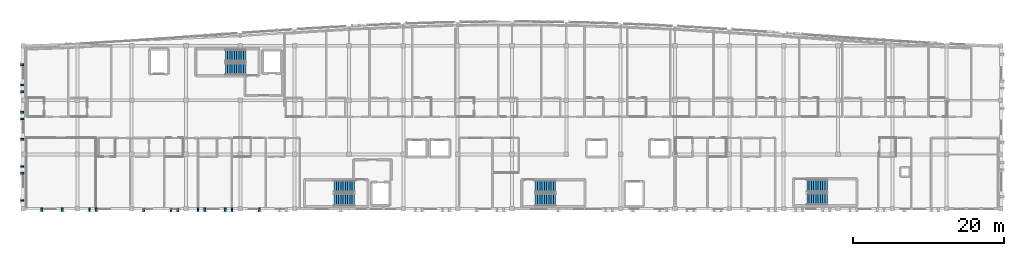
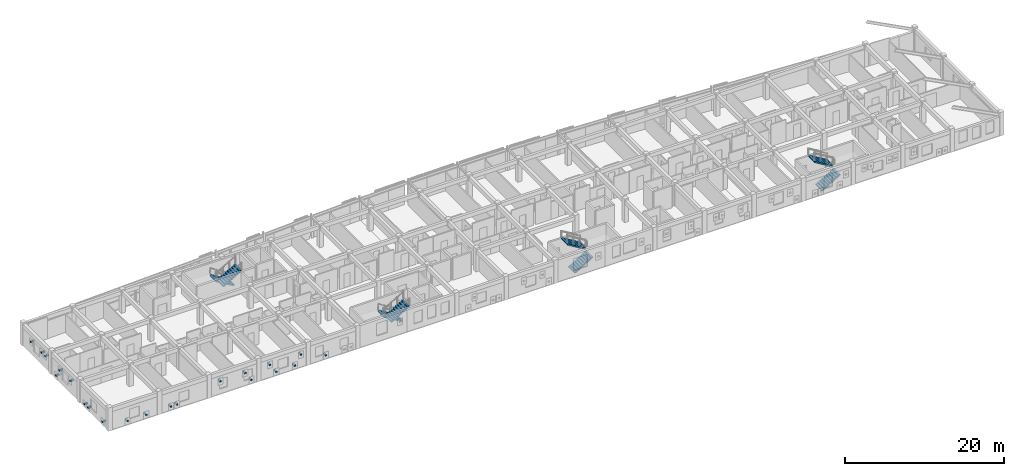
# One storey, part 47 of 51: 21 discrete accessories, 8 stair flights, 4 elements without a shape of their own.
"""IFC4 building model written with IfcOpenShell, lengths in metres."""

from ifc_helpers import new_model, si_unit, direction, frame, origin, origin_2d, place, context, subcontext, project, spatial, polyline, rectangle, outline, extrude, material, type_object, element, aggregate, save


model = new_model("IFC4")

# Units and contexts
model_context = context("Model", 3, precision=1e-05, world=origin(), true_north=direction((0.0, 1.0)))
body_context = subcontext(model_context, "Body", "Model", "MODEL_VIEW")
ifc_project = project(units=[si_unit("LENGTHUNIT", "METRE"), si_unit("AREAUNIT", "SQUARE_METRE"), si_unit("VOLUMEUNIT", "CUBIC_METRE"), si_unit("PLANEANGLEUNIT", "RADIAN"), si_unit("MASSUNIT", "GRAM", prefix="KILO")], contexts=[model_context])

# Site, building, storey
site_placement = place(None, origin())
site = spatial("IfcSite", under=ifc_project, at=site_placement, CompositionType="ELEMENT")
building_placement = place(site_placement, origin())
building = spatial("IfcBuilding", under=site, at=building_placement, Name="Carrowvane Square Congress Hotel", CompositionType="ELEMENT")
storey_placement = place(building_placement, frame((0.0, 0.0, 30.0)))
storey = spatial("IfcBuildingStorey", under=building, at=storey_placement, Name="L07", CompositionType="ELEMENT", Elevation=30.0)

# Stair, stair flights
ifc_material_1 = material(Name="Concrete C35/45", Category="concrete")
stair_type = type_object("IfcStairType", Name="STR-DOG-02", PredefinedType="HALF_TURN_STAIR", material=ifc_material_1)
stair_1_placement = place(storey_placement, origin())
stair_1 = element("IfcStair", 1, at=stair_1_placement, inside=storey, type_object=stair_type, Name="L07 Core C1 West Hotel Firefighting Stair", PredefinedType="HALF_TURN_STAIR")
ifc_material_2 = material(Name="Concrete C35/45", Category="concrete")
stair_flight_type = type_object("IfcStairFlightType", Name="SFL-STR-02", PredefinedType="STRAIGHT", material=ifc_material_2)
stair_flight_1_placement = place(storey_placement, frame((62.719970703125, 112.110107421875, 0.0), z_axis=(0.0, 0.0, 1.0), x_axis=(-1.0, 0.0, 0.0)))
stair_flight_1 = element("IfcStairFlight", 2, at=stair_flight_1_placement, type_object=stair_flight_type, Name="ST1 flight 1", NumberOfRisers=10, NumberOfTreads=9, PredefinedType="STRAIGHT", RiserHeight=0.18, TreadLength=0.3, context=body_context, shape_type="SweptSolid", body=[
    extrude(outline(polyline([(0.0, 0.0), (0.0, 0.179931640625), (0.300048828125, 0.179931640625), (0.300048828125, 0.360107421875), (0.60009765625, 0.360107421875), (0.60009765625, 0.5400390625), (0.89990234375, 0.5400390625), (0.89990234375, 0.719970703125), (1.199951171875, 0.719970703125), (1.199951171875, 0.89990234375), (1.5, 0.89990234375), (1.5, 1.080078125), (1.800048828125, 1.080078125), (1.800048828125, 1.260009765625), (2.10009765625, 1.260009765625), (2.10009765625, 1.43994140625), (2.39990234375, 1.43994140625), (2.39990234375, 1.6201171875), (2.699951171875, 1.6201171875), (2.699951171875, 1.800048828125), (2.699951171875, 1.445068359375), (0.291259765625, 0.0), (0.0, 0.0)])), frame((0.0, 0.7900390625, 0.0), z_axis=(0.0, -1.0, 0.0), x_axis=(1.0, 0.0, 0.0)), (0.0, 0.0, 1.0), 1.580078125),
])
stair_flight_2_placement = place(storey_placement, frame((60.02001953125, 110.330078125, 1.800048828125), z_axis=(0.0, 0.0, 1.0), x_axis=(1.0, 0.0, 0.0)))
stair_flight_2 = element("IfcStairFlight", 3, at=stair_flight_2_placement, type_object=stair_flight_type, Name="ST1 flight 2", NumberOfRisers=10, NumberOfTreads=9, PredefinedType="STRAIGHT", RiserHeight=0.18, TreadLength=0.3, context=body_context, shape_type="SweptSolid", body=[
    extrude(outline(polyline([(0.0, 0.0), (0.0, 0.179931640625), (0.300048828125, 0.179931640625), (0.300048828125, 0.360107421875), (0.60009765625, 0.360107421875), (0.60009765625, 0.5400390625), (0.89990234375, 0.5400390625), (0.89990234375, 0.719970703125), (1.199951171875, 0.719970703125), (1.199951171875, 0.89990234375), (1.5, 0.89990234375), (1.5, 1.080078125), (1.800048828125, 1.080078125), (1.800048828125, 1.260009765625), (2.10009765625, 1.260009765625), (2.10009765625, 1.43994140625), (2.39990234375, 1.43994140625), (2.39990234375, 1.6201171875), (2.699951171875, 1.6201171875), (2.699951171875, 1.800048828125), (2.699951171875, 1.445068359375), (0.291259765625, 0.0), (0.0, 0.0)])), frame((0.0, 0.7900390625, 0.0), z_axis=(0.0, -1.0, 0.0), x_axis=(1.0, 0.0, 0.0)), (0.0, 0.0, 1.0), 1.580078125),
])
aggregate(stair_1, [stair_flight_1, stair_flight_2])

stair_2_placement = place(storey_placement, origin())
stair_2 = element("IfcStair", 4, at=stair_2_placement, inside=storey, type_object=stair_type, Name="L07 Core C2 Central Hotel Firefighting Stair", PredefinedType="HALF_TURN_STAIR")
stair_flight_3_placement = place(storey_placement, frame((77.1201171875, 94.77001953125, 0.0), z_axis=(0.0, 0.0, 1.0), x_axis=(-1.0, 0.0, 0.0)))
stair_flight_3 = element("IfcStairFlight", 5, at=stair_flight_3_placement, type_object=stair_flight_type, Name="ST2 flight 1", NumberOfRisers=10, NumberOfTreads=9, PredefinedType="STRAIGHT", RiserHeight=0.18, TreadLength=0.3, context=body_context, shape_type="SweptSolid", body=[
    extrude(outline(polyline([(0.0, 0.0), (0.0, 0.179931640625), (0.300048828125, 0.179931640625), (0.300048828125, 0.360107421875), (0.60009765625, 0.360107421875), (0.60009765625, 0.5400390625), (0.89990234375, 0.5400390625), (0.89990234375, 0.719970703125), (1.199951171875, 0.719970703125), (1.199951171875, 0.89990234375), (1.5, 0.89990234375), (1.5, 1.080078125), (1.800048828125, 1.080078125), (1.800048828125, 1.260009765625), (2.10009765625, 1.260009765625), (2.10009765625, 1.43994140625), (2.39990234375, 1.43994140625), (2.39990234375, 1.6201171875), (2.699951171875, 1.6201171875), (2.699951171875, 1.800048828125), (2.699951171875, 1.445068359375), (0.291259765625, 0.0), (0.0, 0.0)])), frame((0.0, 0.7900390625, 0.0), z_axis=(0.0, -1.0, 0.0), x_axis=(1.0, 0.0, 0.0)), (0.0, 0.0, 1.0), 1.580078125),
])
stair_flight_4_placement = place(storey_placement, frame((74.419921875, 92.989990234375, 1.800048828125), z_axis=(0.0, 0.0, 1.0), x_axis=(1.0, 0.0, 0.0)))
stair_flight_4 = element("IfcStairFlight", 6, at=stair_flight_4_placement, type_object=stair_flight_type, Name="ST2 flight 2", NumberOfRisers=10, NumberOfTreads=9, PredefinedType="STRAIGHT", RiserHeight=0.18, TreadLength=0.3, context=body_context, shape_type="SweptSolid", body=[
    extrude(outline(polyline([(0.0, 0.0), (0.0, 0.179931640625), (0.300048828125, 0.179931640625), (0.300048828125, 0.360107421875), (0.60009765625, 0.360107421875), (0.60009765625, 0.5400390625), (0.89990234375, 0.5400390625), (0.89990234375, 0.719970703125), (1.199951171875, 0.719970703125), (1.199951171875, 0.89990234375), (1.5, 0.89990234375), (1.5, 1.080078125), (1.800048828125, 1.080078125), (1.800048828125, 1.260009765625), (2.10009765625, 1.260009765625), (2.10009765625, 1.43994140625), (2.39990234375, 1.43994140625), (2.39990234375, 1.6201171875), (2.699951171875, 1.6201171875), (2.699951171875, 1.800048828125), (2.699951171875, 1.445068359375), (0.291259765625, 0.0), (0.0, 0.0)])), frame((0.0, 0.7900390625, 0.0), z_axis=(0.0, -1.0, 0.0), x_axis=(1.0, 0.0, 0.0)), (0.0, 0.0, 1.0), 1.580078125),
])
aggregate(stair_2, [stair_flight_3, stair_flight_4])

stair_3_placement = place(storey_placement, origin())
stair_3 = element("IfcStair", 7, at=stair_3_placement, inside=storey, type_object=stair_type, Name="L07 Core C3 East Hotel Escape Stair", PredefinedType="HALF_TURN_STAIR")
stair_flight_5_placement = place(storey_placement, frame((101.080078125, 92.989990234375, 0.0), z_axis=(0.0, 0.0, 1.0), x_axis=(1.0, 0.0, 0.0)))
stair_flight_5 = element("IfcStairFlight", 8, at=stair_flight_5_placement, type_object=stair_flight_type, Name="ST3 flight 1", NumberOfRisers=10, NumberOfTreads=9, PredefinedType="STRAIGHT", RiserHeight=0.18, TreadLength=0.3, context=body_context, shape_type="SweptSolid", body=[
    extrude(outline(polyline([(0.0, 0.0), (0.0, 0.179931640625), (0.300048828125, 0.179931640625), (0.300048828125, 0.360107421875), (0.60009765625, 0.360107421875), (0.60009765625, 0.5400390625), (0.89990234375, 0.5400390625), (0.89990234375, 0.719970703125), (1.199951171875, 0.719970703125), (1.199951171875, 0.89990234375), (1.5, 0.89990234375), (1.5, 1.080078125), (1.800048828125, 1.080078125), (1.800048828125, 1.260009765625), (2.10009765625, 1.260009765625), (2.10009765625, 1.43994140625), (2.39990234375, 1.43994140625), (2.39990234375, 1.6201171875), (2.699951171875, 1.6201171875), (2.699951171875, 1.800048828125), (2.699951171875, 1.445068359375), (0.291259765625, 0.0), (0.0, 0.0)])), frame((0.0, 0.7900390625, 0.0), z_axis=(0.0, -1.0, 0.0), x_axis=(1.0, 0.0, 0.0)), (0.0, 0.0, 1.0), 1.580078125),
])
stair_flight_6_placement = place(storey_placement, frame((103.780029296875, 94.77001953125, 1.800048828125), z_axis=(0.0, 0.0, 1.0), x_axis=(-1.0, 0.0, 0.0)))
stair_flight_6 = element("IfcStairFlight", 9, at=stair_flight_6_placement, type_object=stair_flight_type, Name="ST3 flight 2", NumberOfRisers=10, NumberOfTreads=9, PredefinedType="STRAIGHT", RiserHeight=0.18, TreadLength=0.3, context=body_context, shape_type="SweptSolid", body=[
    extrude(outline(polyline([(0.0, 0.0), (0.0, 0.179931640625), (0.300048828125, 0.179931640625), (0.300048828125, 0.360107421875), (0.60009765625, 0.360107421875), (0.60009765625, 0.5400390625), (0.89990234375, 0.5400390625), (0.89990234375, 0.719970703125), (1.199951171875, 0.719970703125), (1.199951171875, 0.89990234375), (1.5, 0.89990234375), (1.5, 1.080078125), (1.800048828125, 1.080078125), (1.800048828125, 1.260009765625), (2.10009765625, 1.260009765625), (2.10009765625, 1.43994140625), (2.39990234375, 1.43994140625), (2.39990234375, 1.6201171875), (2.699951171875, 1.6201171875), (2.699951171875, 1.800048828125), (2.699951171875, 1.445068359375), (0.291259765625, 0.0), (0.0, 0.0)])), frame((0.0, 0.7900390625, 0.0), z_axis=(0.0, -1.0, 0.0), x_axis=(1.0, 0.0, 0.0)), (0.0, 0.0, 1.0), 1.580078125),
])
aggregate(stair_3, [stair_flight_5, stair_flight_6])

stair_4_placement = place(storey_placement, origin())
stair_4 = element("IfcStair", 10, at=stair_4_placement, inside=storey, type_object=stair_type, Name="L07 East Hotel Wing Escape Stair", PredefinedType="HALF_TURN_STAIR")
stair_flight_7_placement = place(storey_placement, frame((137.080078125, 93.090087890625, 0.0), z_axis=(0.0, 0.0, 1.0), x_axis=(1.0, 0.0, 0.0)))
stair_flight_7 = element("IfcStairFlight", 11, at=stair_flight_7_placement, type_object=stair_flight_type, Name="ST12 flight 1", NumberOfRisers=10, NumberOfTreads=9, PredefinedType="STRAIGHT", RiserHeight=0.18, TreadLength=0.3, context=body_context, shape_type="SweptSolid", body=[
    extrude(outline(polyline([(0.0, 0.0), (0.0, 0.179931640625), (0.300048828125, 0.179931640625), (0.300048828125, 0.360107421875), (0.60009765625, 0.360107421875), (0.60009765625, 0.5400390625), (0.89990234375, 0.5400390625), (0.89990234375, 0.719970703125), (1.199951171875, 0.719970703125), (1.199951171875, 0.89990234375), (1.5, 0.89990234375), (1.5, 1.080078125), (1.800048828125, 1.080078125), (1.800048828125, 1.260009765625), (2.10009765625, 1.260009765625), (2.10009765625, 1.43994140625), (2.39990234375, 1.43994140625), (2.39990234375, 1.6201171875), (2.699951171875, 1.6201171875), (2.699951171875, 1.800048828125), (2.699951171875, 1.445068359375), (0.291259765625, 0.0), (0.0, 0.0)])), frame((0.0, 0.7900390625, 0.0), z_axis=(0.0, -1.0, 0.0), x_axis=(1.0, 0.0, 0.0)), (0.0, 0.0, 1.0), 1.580078125),
])
stair_flight_8_placement = place(storey_placement, frame((139.780029296875, 94.8701171875, 1.800048828125), z_axis=(0.0, 0.0, 1.0), x_axis=(-1.0, 0.0, 0.0)))
stair_flight_8 = element("IfcStairFlight", 12, at=stair_flight_8_placement, type_object=stair_flight_type, Name="ST12 flight 2", NumberOfRisers=10, NumberOfTreads=9, PredefinedType="STRAIGHT", RiserHeight=0.18, TreadLength=0.3, context=body_context, shape_type="SweptSolid", body=[
    extrude(outline(polyline([(0.0, 0.0), (0.0, 0.179931640625), (0.300048828125, 0.179931640625), (0.300048828125, 0.360107421875), (0.60009765625, 0.360107421875), (0.60009765625, 0.5400390625), (0.89990234375, 0.5400390625), (0.89990234375, 0.719970703125), (1.199951171875, 0.719970703125), (1.199951171875, 0.89990234375), (1.5, 0.89990234375), (1.5, 1.080078125), (1.800048828125, 1.080078125), (1.800048828125, 1.260009765625), (2.10009765625, 1.260009765625), (2.10009765625, 1.43994140625), (2.39990234375, 1.43994140625), (2.39990234375, 1.6201171875), (2.699951171875, 1.6201171875), (2.699951171875, 1.800048828125), (2.699951171875, 1.445068359375), (0.291259765625, 0.0), (0.0, 0.0)])), frame((0.0, 0.7900390625, 0.0), z_axis=(0.0, -1.0, 0.0), x_axis=(1.0, 0.0, 0.0)), (0.0, 0.0, 1.0), 1.580078125),
])
aggregate(stair_4, [stair_flight_7, stair_flight_8])

# Discrete accessories
ifc_material_3 = material(Name="Stainless steel 316", Category="steel")
discrete_accessory_type = type_object("IfcDiscreteAccessoryType", Name="ACC-BRK-SS", PredefinedType="BRACKET", material=ifc_material_3)
for number, where, z_axis, x_axis, name in (
    (13, (64.5, 91.659912109375, 0.56005859375), (0.0, 0.0, 1.0), (-1.0, 0.0, 0.0), "V5 pixel screen bracket 737"),
    (14, (60.89990234375, 91.659912109375, 1.93017578125), (0.0, 0.0, 1.0), (-1.0, 0.0, 0.0), "V5 pixel screen bracket 738"),
    (15, (60.0, 91.659912109375, 0.56005859375), (0.0, 0.0, 1.0), (-1.0, 0.0, 0.0), "V5 pixel screen bracket 739"),
    (16, (57.300048828125, 91.659912109375, 0.56005859375), (0.0, 0.0, 1.0), (-1.0, 0.0, 0.0), "V5 pixel screen bracket 740"),
    (17, (56.39990234375, 91.659912109375, 1.93017578125), (0.0, 0.0, 1.0), (-1.0, 0.0, 0.0), "V5 pixel screen bracket 741"),
    (18, (53.699951171875, 91.659912109375, 0.56005859375), (0.0, 0.0, 1.0), (-1.0, 0.0, 0.0), "V5 pixel screen bracket 742"),
    (19, (52.800048828125, 91.659912109375, 1.93017578125), (0.0, 0.0, 1.0), (-1.0, 0.0, 0.0), "V5 pixel screen bracket 743"),
    (20, (49.199951171875, 91.659912109375, 1.93017578125), (0.0, 0.0, 1.0), (-1.0, 0.0, 0.0), "V5 pixel screen bracket 744"),
    (21, (42.89990234375, 91.659912109375, 0.56005859375), (0.0, 0.0, 1.0), (-1.0, 0.0, 0.0), "V5 pixel screen bracket 745"),
    (22, (42.0, 91.659912109375, 0.56005859375), (0.0, 0.0, 1.0), (-1.0, 0.0, 0.0), "V5 pixel screen bracket 746"),
    (23, (38.39990234375, 91.659912109375, 0.56005859375), (0.0, 0.0, 1.0), (-1.0, 0.0, 0.0), "V5 pixel screen bracket 747"),
    (24, (35.699951171875, 91.659912109375, 0.56005859375), (0.0, 0.0, 1.0), (-1.0, 0.0, 0.0), "V5 pixel screen bracket 748"),
    (25, (33.06005859375, 92.89990234375, 0.56005859375), (0.0, 0.0, 1.0), (0.0, 1.0, 0.0), "V5 pixel screen bracket 749"),
    (26, (33.06005859375, 96.5, 0.56005859375), (0.0, 0.0, 1.0), (0.0, 1.0, 0.0), "V5 pixel screen bracket 750"),
    (27, (33.06005859375, 97.39990234375, 0.56005859375), (0.0, 0.0, 1.0), (0.0, 1.0, 0.0), "V5 pixel screen bracket 751"),
    (28, (33.06005859375, 101.0, 1.9248046875), (0.0, 0.0, 1.0), (0.0, 1.0, 0.0), "V5 pixel screen bracket 752"),
    (29, (33.06005859375, 103.699951171875, 1.9248046875), (0.0, 0.0, 1.0), (0.0, 1.0, 0.0), "V5 pixel screen bracket 753"),
    (30, (33.06005859375, 104.60009765625, 0.56005859375), (0.0, 0.0, 1.0), (0.0, 1.0, 0.0), "V5 pixel screen bracket 754"),
    (31, (33.06005859375, 107.300048828125, 1.9248046875), (0.0, 0.0, 1.0), (0.0, 1.0, 0.0), "V5 pixel screen bracket 755"),
    (32, (33.06005859375, 108.199951171875, 1.9248046875), (0.0, 0.0, 1.0), (0.0, 1.0, 0.0), "V5 pixel screen bracket 756"),
    (33, (33.06005859375, 110.89990234375, 1.9248046875), (0.0, 0.0, 1.0), (0.0, 1.0, 0.0), "V5 pixel screen bracket 757"),
):
    element("IfcDiscreteAccessory", number, at=place(storey_placement, frame(where, z_axis=z_axis, x_axis=x_axis)), inside=storey, type_object=discrete_accessory_type, Name=name, PredefinedType="BRACKET", context=body_context, shape_type="SweptSolid", body=[
        extrude(rectangle(XDim=0.239990234375, YDim=0.52001953125, at=origin_2d()), origin(), (0.0, 0.0, 1.0), 0.239990234375),
    ])

save(model, "model.ifc")
